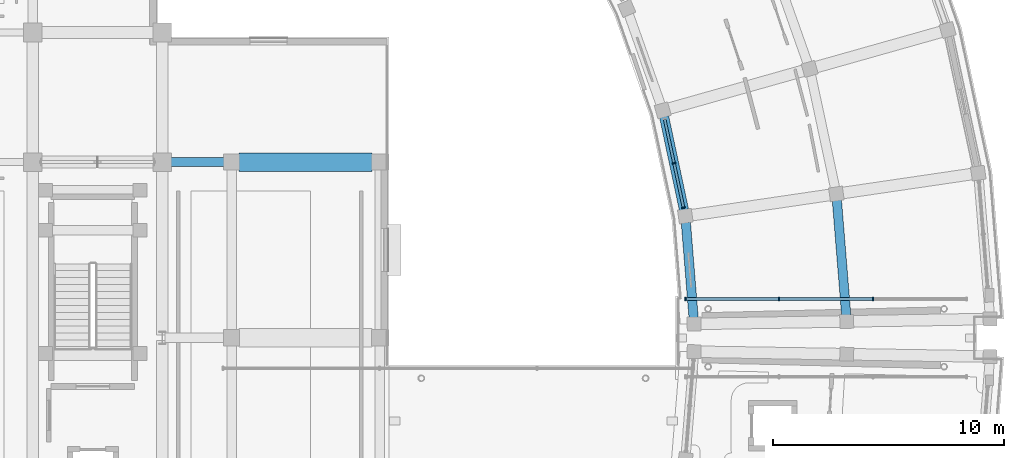
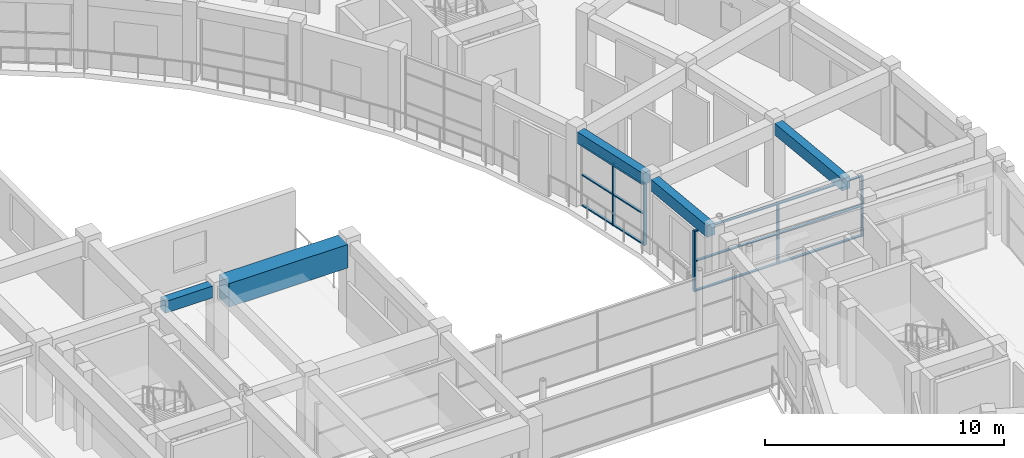
# One storey, part 27 of 70: 17 members, 5 beams, 2 elements without a shape of their own.
"""IFC4 building model written with IfcOpenShell, lengths in metres."""

import ifcopenshell
import ifcopenshell.guid

model = None  # the IFC model being written
_history = None  # IfcOwnerHistory: only IFC2X3 demands one
_inside = {}  # id of a spatial element -> (the spatial element, [elements in it])
_under = {}  # id of a project, library or spatial element -> (it, [spatial elements below it])
_declared = {}  # id of a project -> (the project, [libraries it declares])
_typed = {}  # id of a type object -> (the type object, [elements of that type])
_made_of = {}  # id of a material, layer set ... -> (it, [elements and type objects made of it])


def new_model(schema):
    """Start an empty IFC model of exactly this schema.

    Asked for "IFC4X3", IfcOpenShell would pick the latest addendum, in which some entities
    have other attributes; the version numbers below select the first issue.
    IFC2X3 requires an IfcOwnerHistory on every rooted entity: one is made here for all.
    """
    global model, _history
    if schema == "IFC4X3":
        model = ifcopenshell.file(schema_version=(4, 3, 0, 0))
    else:
        model = ifcopenshell.file(schema=schema)
    _inside.clear()
    _under.clear()
    _declared.clear()
    _typed.clear()
    _made_of.clear()
    _history = None
    if model.schema == "IFC2X3":
        org = make("IfcOrganization", Name="unknown")
        user = make(
            "IfcPersonAndOrganization",
            ThePerson=make("IfcPerson", FamilyName="unknown"),
            TheOrganization=org,
        )
        app = make(
            "IfcApplication",
            ApplicationDeveloper=org,
            Version="unknown",
            ApplicationFullName="unknown",
            ApplicationIdentifier="unknown",
        )
        _history = make(
            "IfcOwnerHistory",
            OwningUser=user,
            OwningApplication=app,
            ChangeAction="ADDED",
            CreationDate=0,
        )
    return model


def make(cls, **values):
    """One entity of the class cls with the attributes given. An attribute that is None is left unset."""
    return model.create_entity(
        cls, **{name: value for name, value in values.items() if value is not None}
    )


def rooted(cls, **values):
    """An entity with a GlobalId (a new one), such as an element, a storey or a relation."""
    return make(cls, GlobalId=ifcopenshell.guid.new(), OwnerHistory=_history, **values)


def si_unit(unit_type, name, prefix=None):
    """IfcSIUnit, for example si_unit("LENGTHUNIT", "METRE", prefix="MILLI")."""
    return make("IfcSIUnit", UnitType=unit_type, Prefix=prefix, Name=name)


def assignment(units):
    """IfcUnitAssignment: the units of a project."""
    return None if units is None else make("IfcUnitAssignment", Units=units)


def point(xyz):
    """IfcCartesianPoint."""
    return None if xyz is None else make("IfcCartesianPoint", Coordinates=xyz)


def direction(xyz):
    """IfcDirection."""
    return None if xyz is None else make("IfcDirection", DirectionRatios=xyz)


def frame(location, z_axis=None, x_axis=None):
    """IfcAxis2Placement3D, a coordinate frame: its origin and axes. An axis left out is left unset."""
    return make(
        "IfcAxis2Placement3D",
        Location=point(location),
        Axis=direction(z_axis),
        RefDirection=direction(x_axis),
    )


def frame_2d(location, x_axis=None):
    """IfcAxis2Placement2D, a coordinate frame in the plane: its origin and x axis."""
    return make(
        "IfcAxis2Placement2D", Location=point(location), RefDirection=direction(x_axis)
    )


def origin():
    """The frame at (0, 0, 0) with its axes left unset."""
    return frame((0.0, 0.0, 0.0))


def origin_2d():
    """The frame at (0, 0) in the plane with its x axis left unset."""
    return frame_2d((0.0, 0.0))


def place(relative_to, where):
    """IfcLocalPlacement: puts the frame where relative to a parent placement (None: the world)."""
    return make(
        "IfcLocalPlacement", PlacementRelTo=relative_to, RelativePlacement=where
    )


def context(
    kind, dimensions, precision=None, world=None, true_north=None, identifier=None
):
    """IfcGeometricRepresentationContext, for example the 3D "Model" context."""
    return make(
        "IfcGeometricRepresentationContext",
        ContextIdentifier=identifier,
        ContextType=kind,
        CoordinateSpaceDimension=dimensions,
        Precision=precision,
        WorldCoordinateSystem=world,
        TrueNorth=true_north,
    )


def subcontext(parent, identifier, kind, view, scale=None):
    """IfcGeometricRepresentationSubContext, for example "Body" below "Model"."""
    return make(
        "IfcGeometricRepresentationSubContext",
        ContextIdentifier=identifier,
        ContextType=kind,
        ParentContext=parent,
        TargetScale=scale,
        TargetView=view,
    )


def project(units=None, contexts=None):
    """IfcProject with its units and contexts."""
    return rooted(
        "IfcProject",
        Name="project",
        RepresentationContexts=contexts,
        UnitsInContext=assignment(units),
    )


def spatial(cls, under=None, at=None, **own):
    """A site, building, storey or space (cls), placed at a placement, below another one or the project."""
    s = rooted(cls, ObjectPlacement=at, **own)
    if under is not None:
        _under.setdefault(under.id(), (under, []))[1].append(s)
    return s


def profile(cls, at=None, kind="AREA", **sizes):
    """A parametric profile (cls). Its sizes go by their IFC names, for example OverallWidth=200.0."""
    return make(cls, ProfileType=kind, Position=at, **sizes)


def rectangle(**sizes):
    """IfcRectangleProfileDef."""
    return profile("IfcRectangleProfileDef", **sizes)


def extrude(swept, where, along, depth):
    """IfcExtrudedAreaSolid: the profile swept, set in the frame where, extruded along a direction by depth."""
    return make(
        "IfcExtrudedAreaSolid",
        SweptArea=swept,
        Position=where,
        ExtrudedDirection=direction(along),
        Depth=depth,
    )


def shape(context_of_items, identifier, shape_type, items):
    """IfcShapeRepresentation: the items that make up one representation, for example the "Body"."""
    return make(
        "IfcShapeRepresentation",
        ContextOfItems=context_of_items,
        RepresentationIdentifier=identifier,
        RepresentationType=shape_type,
        Items=items,
    )


def material(Name=None, Category=None):
    """IfcMaterial."""
    return make("IfcMaterial", Name=Name, Category=Category)


def material_profile(
    of_material, cross_section, Name=None, Category=None, Priority=None
):
    """IfcMaterialProfile: a cross section and its material."""
    return make(
        "IfcMaterialProfile",
        Name=Name,
        Material=of_material,
        Profile=cross_section,
        Priority=Priority,
        Category=Category,
    )


def profile_set(profiles, Name=None, composite=None):
    """IfcMaterialProfileSet."""
    return make(
        "IfcMaterialProfileSet",
        Name=Name,
        MaterialProfiles=profiles,
        CompositeProfile=composite,
    )


def made_of(thing, what):
    """Note that an element or type object is made of a material, layer set ...; save() writes the relation."""
    if what is not None:
        _made_of.setdefault(what.id(), (what, []))[1].append(thing)
    return thing


def type_object(cls, material=None, **own):
    """A type object (cls), such as IfcWallType, which elements share."""
    return made_of(rooted(cls, **own), material)


def element(
    cls,
    number,
    at=None,
    inside=None,
    cuts=None,
    type_object=None,
    material=None,
    context=None,
    identifier="Body",
    shape_type=None,
    held_by="IfcProductDefinitionShape",
    body=None,
    shapes=None,
    **own,
):
    """One element of the class cls, such as IfcWall. Its Tag is "e" and its number.

    at: its placement. inside: the storey or other place that contains it. cuts: it is an
    opening in that element (IfcRelVoidsElement). A single representation is given by context,
    identifier, shape_type and body (its items); several are given by shapes. held_by: the class
    of the entity that holds the representations. save() writes the other relations.
    """
    e = rooted(cls, Tag="e%d" % number, ObjectPlacement=at, **own)
    if body is not None:
        shapes = [shape(context, identifier, shape_type, body)]
    if shapes is not None:
        e.Representation = make(held_by, Representations=shapes)
    if inside is not None:
        _inside.setdefault(inside.id(), (inside, []))[1].append(e)
    if cuts is not None:
        rooted(
            "IfcRelVoidsElement", RelatingBuildingElement=cuts, RelatedOpeningElement=e
        )
    if type_object is not None:
        _typed.setdefault(type_object.id(), (type_object, []))[1].append(e)
    return made_of(e, material)


def aggregate(whole, parts):
    """IfcRelAggregates: a whole, such as a stair, and the parts it consists of."""
    return rooted("IfcRelAggregates", RelatingObject=whole, RelatedObjects=parts)


def save(model, path):
    """Write the relations noted so far, then the file.

    IfcRelAggregates (storeys below a building ...), IfcRelContainedInSpatialStructure (elements
    in a storey), IfcRelDefinesByType, IfcRelAssociatesMaterial and IfcRelDeclares: one each for
    every whole, place, type object, material and project.
    """
    for whole, parts in _under.values():
        aggregate(whole, parts)
    for where, things in _inside.values():
        rooted(
            "IfcRelContainedInSpatialStructure",
            RelatedElements=things,
            RelatingStructure=where,
        )
    for kind, things in _typed.values():
        rooted("IfcRelDefinesByType", RelatedObjects=things, RelatingType=kind)
    for what, things in _made_of.values():
        rooted("IfcRelAssociatesMaterial", RelatedObjects=things, RelatingMaterial=what)
    for by, libraries in _declared.values():
        rooted("IfcRelDeclares", RelatingContext=by, RelatedDefinitions=libraries)
    model.write(path)


model = new_model("IFC4")

# Units and contexts
model_context = context("Model", 3, precision=1e-05, world=origin(), true_north=direction((0.0, 1.0)))
body_context = subcontext(model_context, "Body", "Model", "MODEL_VIEW")
ifc_project = project(units=[si_unit("LENGTHUNIT", "METRE"), si_unit("AREAUNIT", "SQUARE_METRE"), si_unit("VOLUMEUNIT", "CUBIC_METRE"), si_unit("PLANEANGLEUNIT", "RADIAN"), si_unit("MASSUNIT", "GRAM", prefix="KILO")], contexts=[model_context])

# Site, building, storey
site_placement = place(None, origin())
site = spatial("IfcSite", under=ifc_project, at=site_placement, CompositionType="ELEMENT")
building_placement = place(site_placement, origin())
building = spatial("IfcBuilding", under=site, at=building_placement, Name="Saryqyr Civic Hall", CompositionType="ELEMENT")
storey_placement = place(building_placement, frame((0.0, 0.0, 13.199951171875)))
storey = spatial("IfcBuildingStorey", under=building, at=storey_placement, Name="L03", CompositionType="ELEMENT", Elevation=13.199951171875)

# Curtain wall, members
ifc_material_1 = material(Name="Anodised aluminium and triple low-E glass", Category="aluminium")
curtain_wall_type_1 = type_object("IfcCurtainWallType", Name="ENV-CW-STD-21", PredefinedType="NOTDEFINED", material=ifc_material_1)
curtain_wall_1_placement = place(storey_placement, origin())
curtain_wall_1 = element("IfcCurtainWall", 1, at=curtain_wall_1_placement, inside=storey, type_object=curtain_wall_type_1, Name="Curtain wall V6-CWI-L03-01", PredefinedType="NOTDEFINED")
ifc_material_2 = material(Name="Anodised aluminium", Category="aluminium")
ifc_material_profile_1 = material_profile(ifc_material_2, rectangle(XDim=0.06005859375, YDim=0.159912109375, at=origin_2d()), Name="ALU MULLION 60x160")
ifc_profile_set_1 = profile_set([ifc_material_profile_1], Name="Anodised aluminium")
member_type_1 = type_object("IfcMemberType", Name="ENV-CW-MUL-180", PredefinedType="MULLION", material=ifc_profile_set_1)
member_1_placement = place(storey_placement, frame((92.73681640625, 89.62939453125, 0.0), z_axis=(0.0, 0.0, 1.0), x_axis=(-0.208899296688, 0.97793715741, 0.0)))
member_1 = element("IfcMember", 2, at=member_1_placement, type_object=member_type_1, Name="CW-21 mullion 1", PredefinedType="MULLION", context=body_context, shape_type="SweptSolid", body=[
    extrude(rectangle(XDim=0.06005859375, YDim=0.159912109375, at=origin_2d()), origin(), (0.0, 0.0, 1.0), 3.1650390625),
])
member_2_placement = place(storey_placement, frame((92.327392578125, 91.546142578125, 0.0), z_axis=(0.0, 0.0, 1.0), x_axis=(-0.208899296688, 0.97793715741, 0.0)))
member_2 = element("IfcMember", 3, at=member_2_placement, type_object=member_type_1, Name="CW-21 mullion 2", PredefinedType="MULLION", context=body_context, shape_type="SweptSolid", body=[
    extrude(rectangle(XDim=0.06005859375, YDim=0.159912109375, at=origin_2d()), origin(), (0.0, 0.0, 1.0), 3.1650390625),
])

curtain_wall_type_2 = type_object("IfcCurtainWallType", Name="ENV-CW-STD-81", PredefinedType="NOTDEFINED", material=ifc_material_1)
curtain_wall_2_placement = place(storey_placement, origin())
curtain_wall_2 = element("IfcCurtainWall", 4, at=curtain_wall_2_placement, inside=storey, type_object=curtain_wall_type_2, Name="Curtain wall BR-E-CW2-L03", PredefinedType="NOTDEFINED")
member_3_placement = place(storey_placement, frame((92.830078125, 85.679931640625, 0.0), z_axis=(0.0, 0.0, 1.0), x_axis=(1.0, 0.0, 0.0)))
member_3 = element("IfcMember", 5, at=member_3_placement, type_object=member_type_1, Name="CW-81 mullion 1", PredefinedType="MULLION", context=body_context, shape_type="SweptSolid", body=[
    extrude(rectangle(XDim=0.06005859375, YDim=0.159912109375, at=origin_2d()), origin(), (0.0, 0.0, 1.0), 3.10009765625),
])
member_4_placement = place(storey_placement, frame((96.86669921875, 85.679931640625, 0.0), z_axis=(0.0, 0.0, 1.0), x_axis=(1.0, 0.0, 0.0)))
member_4 = element("IfcMember", 6, at=member_4_placement, type_object=member_type_1, Name="CW-81 mullion 2", PredefinedType="MULLION", context=body_context, shape_type="SweptSolid", body=[
    extrude(rectangle(XDim=0.06005859375, YDim=0.159912109375, at=origin_2d()), origin(), (0.0, 0.0, 1.0), 3.10009765625),
])
member_5_placement = place(storey_placement, frame((100.933349609375, 85.679931640625, 0.0), z_axis=(0.0, 0.0, 1.0), x_axis=(1.0, 0.0, 0.0)))
member_5 = element("IfcMember", 7, at=member_5_placement, type_object=member_type_1, Name="CW-81 mullion 3", PredefinedType="MULLION", context=body_context, shape_type="SweptSolid", body=[
    extrude(rectangle(XDim=0.06005859375, YDim=0.159912109375, at=origin_2d()), origin(), (0.0, 0.0, 1.0), 3.10009765625),
])

# Member
ifc_material_profile_2 = material_profile(ifc_material_2, rectangle(XDim=0.1201171875, YDim=0.06005859375, at=origin_2d()), Name="ALU TRANSOM 120x60")
ifc_profile_set_2 = profile_set([ifc_material_profile_2], Name="Anodised aluminium")
member_type_2 = type_object("IfcMemberType", Name="ENV-CW-TRN-150", PredefinedType="USERDEFINED", material=ifc_profile_set_2)
member_6_placement = place(storey_placement, frame((92.730712890625, 89.65869140625, 0.030029296875), z_axis=(-0.208923581967, 0.977931969463, 0.0), x_axis=(-0.977931969463, -0.208923581967, 0.0)))
member_6 = element("IfcMember", 8, at=member_6_placement, type_object=member_type_2, Name="CW-21 transom 1.1", ObjectType="TRANSOM", PredefinedType="USERDEFINED", context=body_context, shape_type="SweptSolid", body=[
    extrude(rectangle(XDim=0.1201171875, YDim=0.06005859375, at=origin_2d()), origin(), (0.0, 0.0, 1.0), 1.900146484375),
])

member_7_placement = place(storey_placement, frame((92.730712890625, 89.65869140625, 1.58203125), z_axis=(-0.208923581967, 0.977931969463, 0.0), x_axis=(-0.977931969463, -0.208923581967, 0.0)))
member_7 = element("IfcMember", 9, at=member_7_placement, type_object=member_type_2, Name="CW-21 transom 1.2", ObjectType="TRANSOM", PredefinedType="USERDEFINED", context=body_context, shape_type="SweptSolid", body=[
    extrude(rectangle(XDim=0.1201171875, YDim=0.06005859375, at=origin_2d()), origin(), (0.0, 0.0, 1.0), 1.900146484375),
])

member_8_placement = place(storey_placement, frame((92.730712890625, 89.65869140625, 3.135009765625), z_axis=(-0.208923581967, 0.977931969463, 0.0), x_axis=(-0.977931969463, -0.208923581967, 0.0)))
member_8 = element("IfcMember", 10, at=member_8_placement, type_object=member_type_2, Name="CW-21 transom 1.3", ObjectType="TRANSOM", PredefinedType="USERDEFINED", context=body_context, shape_type="SweptSolid", body=[
    extrude(rectangle(XDim=0.1201171875, YDim=0.06005859375, at=origin_2d()), origin(), (0.0, 0.0, 1.0), 1.900146484375),
])

member_9_placement = place(storey_placement, frame((92.3212890625, 91.575439453125, 0.030029296875), z_axis=(-0.208923581967, 0.977931969463, 0.0), x_axis=(-0.977931969463, -0.208923581967, 0.0)))
member_9 = element("IfcMember", 11, at=member_9_placement, type_object=member_type_2, Name="CW-21 transom 2.1", ObjectType="TRANSOM", PredefinedType="USERDEFINED", context=body_context, shape_type="SweptSolid", body=[
    extrude(rectangle(XDim=0.1201171875, YDim=0.06005859375, at=origin_2d()), origin(), (0.0, 0.0, 1.0), 1.900146484375),
])

member_10_placement = place(storey_placement, frame((92.3212890625, 91.575439453125, 1.58203125), z_axis=(-0.208923581967, 0.977931969463, 0.0), x_axis=(-0.977931969463, -0.208923581967, 0.0)))
member_10 = element("IfcMember", 12, at=member_10_placement, type_object=member_type_2, Name="CW-21 transom 2.2", ObjectType="TRANSOM", PredefinedType="USERDEFINED", context=body_context, shape_type="SweptSolid", body=[
    extrude(rectangle(XDim=0.1201171875, YDim=0.06005859375, at=origin_2d()), origin(), (0.0, 0.0, 1.0), 1.900146484375),
])

member_11_placement = place(storey_placement, frame((92.3212890625, 91.575439453125, 3.135009765625), z_axis=(-0.208923581967, 0.977931969463, 0.0), x_axis=(-0.977931969463, -0.208923581967, 0.0)))
member_11 = element("IfcMember", 13, at=member_11_placement, type_object=member_type_2, Name="CW-21 transom 2.3", ObjectType="TRANSOM", PredefinedType="USERDEFINED", context=body_context, shape_type="SweptSolid", body=[
    extrude(rectangle(XDim=0.1201171875, YDim=0.06005859375, at=origin_2d()), origin(), (0.0, 0.0, 1.0), 1.900146484375),
])

aggregate(curtain_wall_1, [member_1, member_2, member_6, member_7, member_8, member_9, member_10, member_11])

member_12_placement = place(storey_placement, frame((92.860107421875, 85.679931640625, 0.030029296875), z_axis=(1.0, 0.0, 0.0), x_axis=(0.0, 1.0, 0.0)))
member_12 = element("IfcMember", 14, at=member_12_placement, type_object=member_type_2, Name="CW-81 transom 1.1", ObjectType="TRANSOM", PredefinedType="USERDEFINED", context=body_context, shape_type="SweptSolid", body=[
    extrude(rectangle(XDim=0.1201171875, YDim=0.06005859375, at=origin_2d()), origin(), (0.0, 0.0, 1.0), 3.9765625),
])

member_13_placement = place(storey_placement, frame((92.860107421875, 85.679931640625, 1.550048828125), z_axis=(1.0, 0.0, 0.0), x_axis=(0.0, 1.0, 0.0)))
member_13 = element("IfcMember", 15, at=member_13_placement, type_object=member_type_2, Name="CW-81 transom 1.2", ObjectType="TRANSOM", PredefinedType="USERDEFINED", context=body_context, shape_type="SweptSolid", body=[
    extrude(rectangle(XDim=0.1201171875, YDim=0.06005859375, at=origin_2d()), origin(), (0.0, 0.0, 1.0), 3.9765625),
])

member_14_placement = place(storey_placement, frame((92.860107421875, 85.679931640625, 3.070068359375), z_axis=(1.0, 0.0, 0.0), x_axis=(0.0, 1.0, 0.0)))
member_14 = element("IfcMember", 16, at=member_14_placement, type_object=member_type_2, Name="CW-81 transom 1.3", ObjectType="TRANSOM", PredefinedType="USERDEFINED", context=body_context, shape_type="SweptSolid", body=[
    extrude(rectangle(XDim=0.1201171875, YDim=0.06005859375, at=origin_2d()), origin(), (0.0, 0.0, 1.0), 3.9765625),
])

member_15_placement = place(storey_placement, frame((96.896728515625, 85.679931640625, 0.030029296875), z_axis=(1.0, 0.0, 0.0), x_axis=(0.0, 1.0, 0.0)))
member_15 = element("IfcMember", 17, at=member_15_placement, type_object=member_type_2, Name="CW-81 transom 2.1", ObjectType="TRANSOM", PredefinedType="USERDEFINED", context=body_context, shape_type="SweptSolid", body=[
    extrude(rectangle(XDim=0.1201171875, YDim=0.06005859375, at=origin_2d()), origin(), (0.0, 0.0, 1.0), 4.006591796875),
])

member_16_placement = place(storey_placement, frame((96.896728515625, 85.679931640625, 1.550048828125), z_axis=(1.0, 0.0, 0.0), x_axis=(0.0, 1.0, 0.0)))
member_16 = element("IfcMember", 18, at=member_16_placement, type_object=member_type_2, Name="CW-81 transom 2.2", ObjectType="TRANSOM", PredefinedType="USERDEFINED", context=body_context, shape_type="SweptSolid", body=[
    extrude(rectangle(XDim=0.1201171875, YDim=0.06005859375, at=origin_2d()), origin(), (0.0, 0.0, 1.0), 4.006591796875),
])

member_17_placement = place(storey_placement, frame((96.896728515625, 85.679931640625, 3.070068359375), z_axis=(1.0, 0.0, 0.0), x_axis=(0.0, 1.0, 0.0)))
member_17 = element("IfcMember", 19, at=member_17_placement, type_object=member_type_2, Name="CW-81 transom 2.3", ObjectType="TRANSOM", PredefinedType="USERDEFINED", context=body_context, shape_type="SweptSolid", body=[
    extrude(rectangle(XDim=0.1201171875, YDim=0.06005859375, at=origin_2d()), origin(), (0.0, 0.0, 1.0), 4.006591796875),
])

aggregate(curtain_wall_2, [member_3, member_4, member_5, member_12, member_13, member_14, member_15, member_16, member_17])

# Beams
ifc_material_3 = material(Name="Concrete C35/45", Category="concrete")
ifc_material_profile_3 = material_profile(ifc_material_3, rectangle(XDim=0.39990234375, YDim=0.60009765625, at=origin_2d()), Name="RC 400x600")
ifc_profile_set_3 = profile_set([ifc_material_profile_3], Name="Concrete C35/45")
beam_type_1 = type_object("IfcBeamType", Name="STR-BM-RC400x600", PredefinedType="BEAM", material=ifc_profile_set_3)
beam_1_placement = place(storey_placement, frame((70.574951171875, 91.60009765625, 3.489990234375), z_axis=(1.0, 0.0, 0.0), x_axis=(0.0, 1.0, 0.0)))
element("IfcBeam", 20, at=beam_1_placement, inside=storey, type_object=beam_type_1, Name="Beam V1-TBM-14-L03", PredefinedType="BEAM", context=body_context, shape_type="SweptSolid", body=[
    extrude(rectangle(XDim=0.39990234375, YDim=0.60009765625, at=origin_2d()), origin(), (0.0, 0.0, 1.0), 2.300048828125),
])
beam_2_placement = place(storey_placement, frame((99.771728515625, 84.983642578125, 3.489990234375), z_axis=(-0.081072662347, 0.996708193716, 0.0), x_axis=(-0.996708193716, -0.081072662347, 0.0)))
element("IfcBeam", 21, at=beam_2_placement, inside=storey, type_object=beam_type_1, Name="Beam V6-CBM-MID00-L03", PredefinedType="BEAM", context=body_context, shape_type="SweptSolid", body=[
    extrude(rectangle(XDim=0.39990234375, YDim=0.60009765625, at=origin_2d()), origin(), (0.0, 0.0, 1.0), 4.977783203125),
])
ifc_material_profile_4 = material_profile(ifc_material_3, rectangle(XDim=0.39990234375, YDim=0.60009765625, at=origin_2d()), Name="RC 400x600")
ifc_profile_set_4 = profile_set([ifc_material_profile_4], Name="Concrete C35/45")
beam_type_2 = type_object("IfcBeamType", Name="STR-BM-RC400x600-EXT", PredefinedType="BEAM", material=ifc_profile_set_4)
beam_3_placement = place(storey_placement, frame((93.172607421875, 84.874267578125, 3.489990234375), z_axis=(-0.081076463708, 0.996707884504, 0.0), x_axis=(-0.996707884504, -0.081076463708, 0.0)))
element("IfcBeam", 22, at=beam_3_placement, inside=storey, type_object=beam_type_2, Name="Beam V6-CBM-IN00-L03", PredefinedType="BEAM", context=body_context, shape_type="SweptSolid", body=[
    extrude(rectangle(XDim=0.39990234375, YDim=0.60009765625, at=origin_2d()), origin(), (0.0, 0.0, 1.0), 4.12548828125),
])
beam_4_placement = place(storey_placement, frame((92.75830078125, 89.529052734375, 3.489990234375), z_axis=(-0.208914702751, 0.97793386636, 0.0), x_axis=(-0.97793386636, -0.208914702751, 0.0)))
element("IfcBeam", 23, at=beam_4_placement, inside=storey, type_object=beam_type_2, Name="Beam V6-CBM-IN01-L03", PredefinedType="BEAM", context=body_context, shape_type="SweptSolid", body=[
    extrude(rectangle(XDim=0.39990234375, YDim=0.60009765625, at=origin_2d()), origin(), (0.0, 0.0, 1.0), 4.125244140625),
])
ifc_material_4 = material(Name="Concrete C40/50", Category="concrete")
ifc_material_profile_5 = material_profile(ifc_material_4, rectangle(XDim=0.800048828125, YDim=1.199951171875, at=origin_2d()), Name="RC 800x1200")
ifc_profile_set_5 = profile_set([ifc_material_profile_5], Name="Concrete C40/50")
beam_type_3 = type_object("IfcBeamType", Name="STR-TG-RC800x1200", PredefinedType="USERDEFINED", material=ifc_profile_set_5)
beam_5_placement = place(storey_placement, frame((73.52490234375, 91.60009765625, 3.18994140625), z_axis=(1.0, 0.0, 0.0), x_axis=(0.0, 1.0, 0.0)))
element("IfcBeam", 24, at=beam_5_placement, inside=storey, type_object=beam_type_3, Name="Beam V1-TG-E3-L03", ObjectType="TRANSFER_GIRDER", PredefinedType="USERDEFINED", context=body_context, shape_type="SweptSolid", body=[
    extrude(rectangle(XDim=0.800048828125, YDim=1.199951171875, at=origin_2d()), origin(), (0.0, 0.0, 1.0), 5.75),
])

save(model, "model.ifc")
